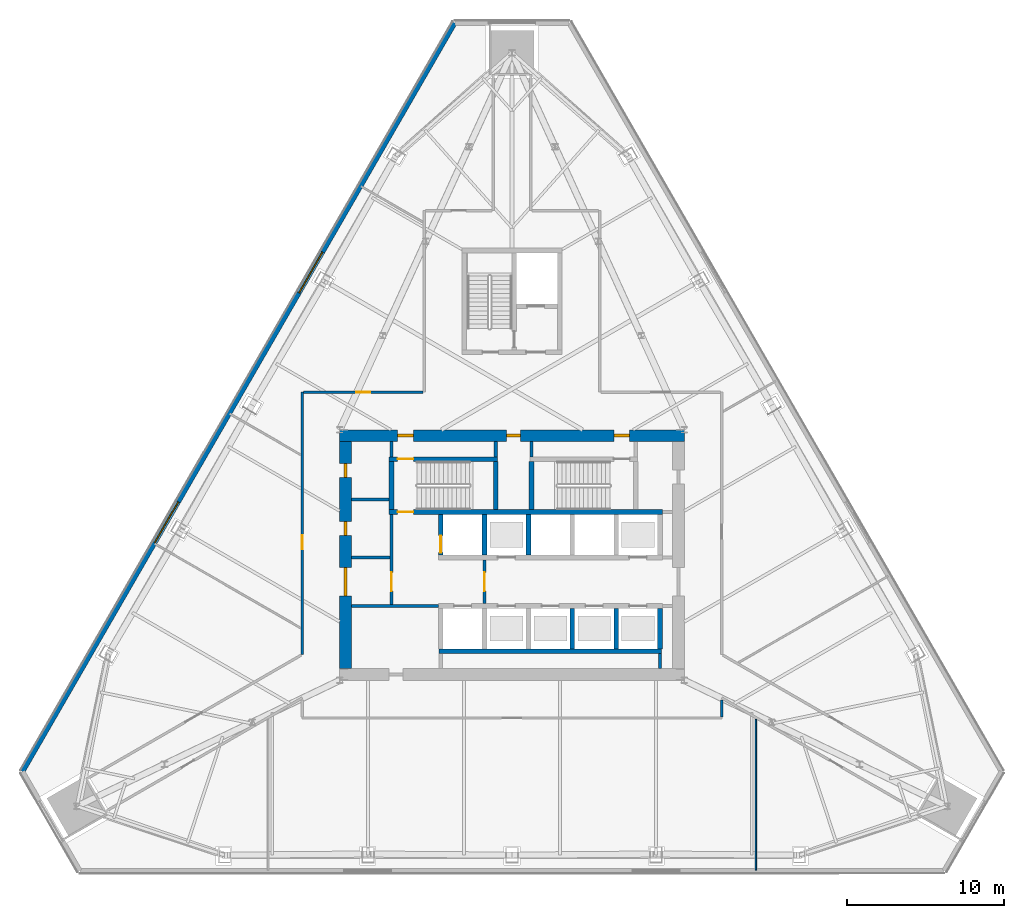
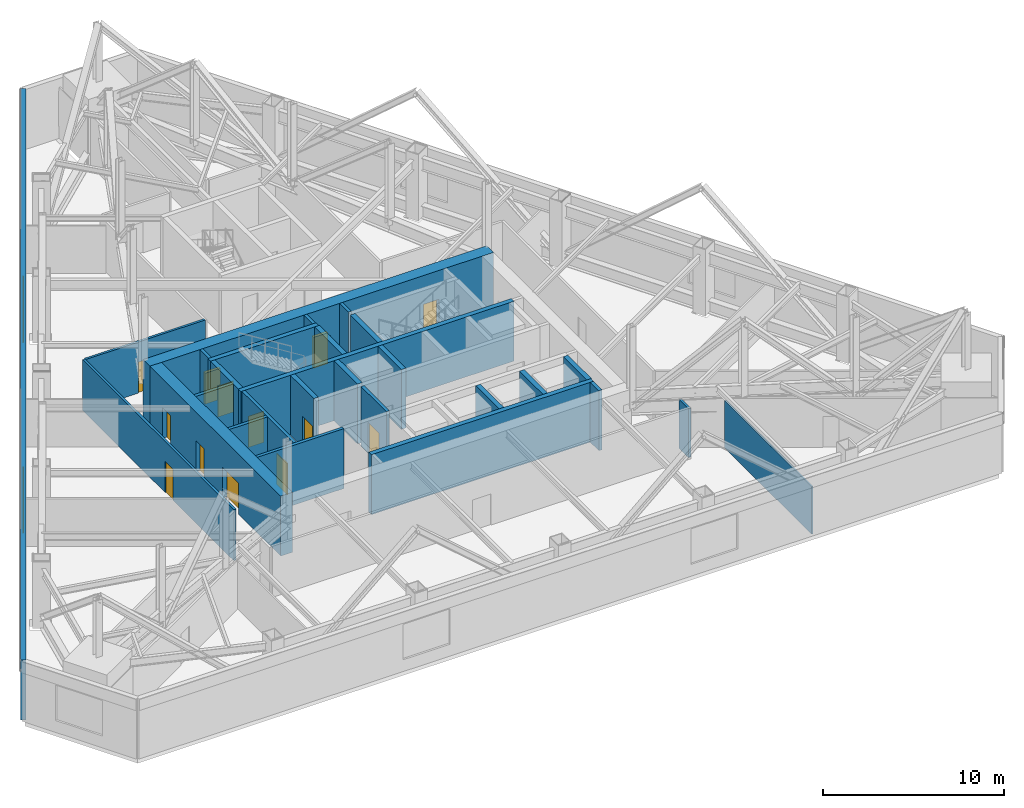
# One storey, part 9 of 13: 28 walls, 13 doors, 2 windows, 15 openings.
"""IFC4 building model written with IfcOpenShell, lengths in metres."""

from ifc_helpers import new_model, si_unit, direction, frame, frame_2d, origin, place, context, subcontext, project, spatial, rectangle, extrude, material, layer, layer_set, type_object, element, fill, save


model = new_model("IFC4")

# Units and contexts
model_context = context("Model", 3, precision=1e-05, world=origin(), true_north=direction((0.0, 1.0)))
body_context = subcontext(model_context, "Body", "Model", "MODEL_VIEW")
ifc_project = project(units=[si_unit("LENGTHUNIT", "METRE"), si_unit("AREAUNIT", "SQUARE_METRE"), si_unit("VOLUMEUNIT", "CUBIC_METRE"), si_unit("PLANEANGLEUNIT", "RADIAN"), si_unit("MASSUNIT", "GRAM", prefix="KILO")], contexts=[model_context])

# Site, building, storey
site_placement = place(None, origin())
site = spatial("IfcSite", under=ifc_project, at=site_placement, CompositionType="ELEMENT")
building_placement = place(site_placement, origin())
building = spatial("IfcBuilding", under=site, at=building_placement, Name="Firuza Gate Tower and Library", CompositionType="ELEMENT")
storey_placement = place(building_placement, frame((0.0, 0.0, 146.800048828125)))
storey = spatial("IfcBuildingStorey", under=building, at=storey_placement, Name="L33", CompositionType="ELEMENT", Elevation=146.800048828125)

# Walls
ifc_material_1 = material(Name="Plasterboard on steel studs", Category="steel")
ifc_layer_1 = layer(ifc_material_1, 0.199951171875)
ifc_layer_set_1 = layer_set([ifc_layer_1], Name="Core partition 200 EI 120")
wall_type_1 = type_object("IfcWallType", Name="Core partition 200 EI 120", PredefinedType="PARTITIONING", material=ifc_layer_set_1)
wall_1_placement = place(storey_placement, frame((64.75, 71.75, 0.0), z_axis=(0.0, 0.0, 1.0), x_axis=(1.0, 0.0, 0.0)))
element("IfcWall", 1, at=wall_1_placement, inside=storey, type_object=wall_type_1, Name="Core partition L33 1", PredefinedType="PARTITIONING", context=body_context, shape_type="SweptSolid", body=[
    extrude(rectangle(XDim=5.550048828125, YDim=0.199951171875, at=frame_2d((2.77490234375, 0.0))), origin(), (0.0, 0.0, 1.0), 4.050048828125),
])
wall_2_placement = place(storey_placement, frame((64.75, 74.85009765625, 0.0), z_axis=(0.0, 0.0, 1.0), x_axis=(1.0, 0.0, 0.0)))
element("IfcWall", 2, at=wall_2_placement, inside=storey, type_object=wall_type_1, Name="Core partition L33 3", PredefinedType="PARTITIONING", context=body_context, shape_type="SweptSolid", body=[
    extrude(rectangle(XDim=2.449951171875, YDim=0.199951171875, at=frame_2d((1.22509765625, 0.0))), origin(), (0.0, 0.0, 1.0), 4.050048828125),
])
wall_3_placement = place(storey_placement, frame((64.75, 78.550048828125, 0.0), z_axis=(0.0, 0.0, 1.0), x_axis=(1.0, 0.0, 0.0)))
element("IfcWall", 3, at=wall_3_placement, inside=storey, type_object=wall_type_1, Name="Core partition L33 6", PredefinedType="PARTITIONING", context=body_context, shape_type="SweptSolid", body=[
    extrude(rectangle(XDim=2.39990234375, YDim=0.199951171875, at=frame_2d((1.199951171875, 0.0))), origin(), (0.0, 0.0, 1.0), 4.050048828125),
])

# Wall, opening, door
wall_4_placement = place(storey_placement, frame((67.300048828125, 71.85009765625, 0.0), z_axis=(0.0, 0.0, 1.0), x_axis=(0.0, 1.0, 0.0)))
wall_4 = element("IfcWall", 4, at=wall_4_placement, inside=storey, type_object=wall_type_1, Name="Core partition L33 7", PredefinedType="PARTITIONING", context=body_context, shape_type="SweptSolid", body=[
    extrude(rectangle(XDim=5.75, YDim=0.199951171875, at=frame_2d((2.875, 0.0))), origin(), (0.0, 0.0, 1.0), 4.050048828125),
])
opening_1_placement = place(wall_4_placement, frame((0.85009765625, 0.0, 0.0)))
opening_1 = element("IfcOpeningElement", 5, at=opening_1_placement, cuts=wall_4, Name="Opening L33-K19", PredefinedType="OPENING", context=body_context, shape_type="SweptSolid", body=[
    extrude(rectangle(XDim=1.199951171875, YDim=2.10009765625, at=frame_2d((0.60009765625, 1.050048828125))), frame((0.0, 0.10986328125, 0.0), z_axis=(0.0, -1.0, 0.0), x_axis=(1.0, 0.0, 0.0)), (0.0, 0.0, 1.0), 0.219970703125),
])
ifc_material_2 = material(Name="Steel", Category="steel")
door_type_1 = type_object("IfcDoorType", Name="Fire door 1200x2100 FD90S", OperationType="NOTDEFINED", PredefinedType="DOOR", material=ifc_material_2)
door_1_placement = place(opening_1_placement, origin())
door_1 = element("IfcDoor", 6, at=door_1_placement, inside=storey, type_object=door_type_1, Name="Door L33-K19", OperationType="SINGLE_SWING_RIGHT", OverallHeight=2.10009765625, OverallWidth=1.199951171875, PredefinedType="DOOR", context=body_context, shape_type="SweptSolid", body=[
    extrude(rectangle(XDim=1.199951171875, YDim=2.10009765625, at=frame_2d((0.60009765625, 1.050048828125))), frame((0.0, 0.02490234375, 0.0), z_axis=(0.0, -1.0, 0.0), x_axis=(1.0, 0.0, 0.0)), (0.0, 0.0, 1.0), 0.050048828125),
])
fill(opening_1, door_1)

# Walls
for number, where, z_axis, x_axis, name in (
    (7, (67.300048828125, 81.280029296875, 0.0), (0.0, 0.0, 1.0), (0.0, 1.0, 0.0), "Core partition L33 8"),
    (8, (73.9599609375, 81.280029296875, 0.0), (0.0, 0.0, 1.0), (0.0, 1.0, 0.0), "Core partition L33 11"),
    (9, (76.239990234375, 81.280029296875, 0.0), (0.0, 0.0, 1.0), (0.0, 1.0, 0.0), "Core partition L33 12"),
):
    element("IfcWall", number, at=place(storey_placement, frame(where, z_axis=z_axis, x_axis=x_axis)), inside=storey, type_object=wall_type_1, Name=name, PredefinedType="PARTITIONING", context=body_context, shape_type="SweptSolid", body=[
        extrude(rectangle(XDim=0.969970703125, YDim=0.199951171875, at=frame_2d((0.48486328125, 0.0))), origin(), (0.0, 0.0, 1.0), 4.050048828125),
    ])
wall_5_placement = place(storey_placement, frame((84.449951171875, 67.75, 0.0), z_axis=(0.0, 0.0, 1.0), x_axis=(0.0, 1.0, 0.0)))
element("IfcWall", 10, at=wall_5_placement, inside=storey, type_object=wall_type_1, Name="Core partition L33 14", PredefinedType="PARTITIONING", context=body_context, shape_type="SweptSolid", body=[
    extrude(rectangle(XDim=0.949951171875, YDim=0.199951171875, at=frame_2d((0.47509765625, 0.0))), origin(), (0.0, 0.0, 1.0), 4.050048828125),
])

# Wall, opening, door
ifc_material_3 = material(Name="Plasterboard on steel studs", Category="steel")
ifc_layer_2 = layer(ifc_material_3, 0.199951171875)
ifc_layer_set_2 = layer_set([ifc_layer_2], Name="Core partition 200 EI 60")
wall_type_2 = type_object("IfcWallType", Name="Core partition 200 EI 60", PredefinedType="PARTITIONING", material=ifc_layer_set_2)
wall_6_placement = place(storey_placement, frame((73.25, 71.89990234375, 0.0), z_axis=(0.0, 0.0, 1.0), x_axis=(0.0, 1.0, 0.0)))
wall_6 = element("IfcWall", 11, at=wall_6_placement, inside=storey, type_object=wall_type_2, Name="Core partition L33 10", PredefinedType="PARTITIONING", context=body_context, shape_type="SweptSolid", body=[
    extrude(rectangle(XDim=2.800048828125, YDim=0.199951171875, at=frame_2d((1.39990234375, 0.0))), origin(), (0.0, 0.0, 1.0), 4.050048828125),
])
opening_2_placement = place(wall_6_placement, frame((0.800048828125, 0.0, 0.0)))
opening_2 = element("IfcOpeningElement", 12, at=opening_2_placement, cuts=wall_6, Name="Opening L33-K18", PredefinedType="OPENING", context=body_context, shape_type="SweptSolid", body=[
    extrude(rectangle(XDim=1.199951171875, YDim=2.10009765625, at=frame_2d((0.60009765625, 1.050048828125))), frame((0.0, 0.10986328125, 0.0), z_axis=(0.0, -1.0, 0.0), x_axis=(1.0, 0.0, 0.0)), (0.0, 0.0, 1.0), 0.219970703125),
])
door_2_placement = place(opening_2_placement, origin())
door_2 = element("IfcDoor", 13, at=door_2_placement, inside=storey, type_object=door_type_1, Name="Door L33-K18", OperationType="SINGLE_SWING_LEFT", OverallHeight=2.10009765625, OverallWidth=1.199951171875, PredefinedType="DOOR", context=body_context, shape_type="SweptSolid", body=[
    extrude(rectangle(XDim=1.199951171875, YDim=2.10009765625, at=frame_2d((0.60009765625, 1.050048828125))), frame((0.0, 0.02490234375, 0.0), z_axis=(0.0, -1.0, 0.0), x_axis=(1.0, 0.0, 0.0)), (0.0, 0.0, 1.0), 0.050048828125),
])
fill(opening_2, door_2)

# Wall
ifc_material_4 = material(Name="Concrete C80/95", Category="concrete")
ifc_layer_3 = layer(ifc_material_4, 0.300048828125)
ifc_layer_set_3 = layer_set([ifc_layer_3], Name="Core wall 300 C80/95")
wall_type_3 = type_object("IfcWallType", Name="Core wall 300 C80/95", PredefinedType="SHEAR", material=ifc_layer_set_3)
wall_7_placement = place(storey_placement, frame((70.35009765625, 68.85009765625, 0.0), z_axis=(0.0, 0.0, 1.0), x_axis=(1.0, 0.0, 0.0)))
element("IfcWall", 14, at=wall_7_placement, inside=storey, type_object=wall_type_3, Name="Core wall L33 5", PredefinedType="SHEAR", context=body_context, shape_type="SweptSolid", body=[
    extrude(rectangle(XDim=14.199951171875, YDim=0.300048828125, at=frame_2d((7.10009765625, 0.0))), origin(), (0.0, 0.0, 1.0), 4.050048828125),
])

# Wall, opening, door
wall_8_placement = place(storey_placement, frame((70.449951171875, 75.0, 0.0), z_axis=(0.0, 0.0, 1.0), x_axis=(0.0, 1.0, 0.0)))
wall_8 = element("IfcWall", 15, at=wall_8_placement, inside=storey, type_object=wall_type_3, Name="Core wall L33 9", PredefinedType="SHEAR", context=body_context, shape_type="SweptSolid", body=[
    extrude(rectangle(XDim=2.60009765625, YDim=0.300048828125, at=frame_2d((1.300048828125, 0.0))), origin(), (0.0, 0.0, 1.0), 4.050048828125),
])
opening_3_placement = place(wall_8_placement, frame((0.14990234375, 0.0, 0.0)))
opening_3 = element("IfcOpeningElement", 16, at=opening_3_placement, cuts=wall_8, Name="Opening LD-FF2-L33", PredefinedType="OPENING", context=body_context, shape_type="SweptSolid", body=[
    extrude(rectangle(XDim=1.10009765625, YDim=2.10009765625, at=frame_2d((0.550048828125, 1.050048828125))), frame((0.0, 0.16015625, 0.0), z_axis=(0.0, -1.0, 0.0), x_axis=(1.0, 0.0, 0.0)), (0.0, 0.0, 1.0), 0.320068359375),
])
ifc_material_5 = material(Name="Stainless steel", Category="steel")
door_type_2 = type_object("IfcDoorType", Name="Lift landing door 1100x2100", OperationType="DOUBLE_DOOR_SLIDING", PredefinedType="DOOR", material=ifc_material_5)
door_3_placement = place(opening_3_placement, origin())
door_3 = element("IfcDoor", 17, at=door_3_placement, inside=storey, type_object=door_type_2, Name="Landing door FF2 L33", OperationType="DOUBLE_DOOR_SLIDING", OverallHeight=2.10009765625, OverallWidth=1.10009765625, PredefinedType="DOOR", context=body_context, shape_type="SweptSolid", body=[
    extrude(rectangle(XDim=1.10009765625, YDim=2.10009765625, at=frame_2d((0.550048828125, 1.050048828125))), frame((0.0, 0.02490234375, 0.0), z_axis=(0.0, -1.0, 0.0), x_axis=(1.0, 0.0, 0.0)), (0.0, 0.0, 1.0), 0.050048828125),
])
fill(opening_3, door_3)

# Walls
for number, where, z_axis, x_axis, name in (
    (18, (73.25, 75.0, 0.0), (0.0, 0.0, 1.0), (0.0, 1.0, 0.0), "Core wall L33 11"),
    (19, (76.050048828125, 75.0, 0.0), (0.0, 0.0, 1.0), (0.0, 1.0, 0.0), "Core wall L33 13"),
    (20, (78.85009765625, 69.0, 0.0), (0.0, 0.0, 1.0), (0.0, 1.0, 0.0), "Core wall L33 14"),
    (21, (81.64990234375, 69.0, 0.0), (0.0, 0.0, 1.0), (0.0, 1.0, 0.0), "Core wall L33 16"),
    (22, (84.449951171875, 69.0, 0.0), (0.0, 0.0, 1.0), (0.0, 1.0, 0.0), "Core wall L33 18"),
):
    element("IfcWall", number, at=place(storey_placement, frame(where, z_axis=z_axis, x_axis=x_axis)), inside=storey, type_object=wall_type_3, Name=name, PredefinedType="SHEAR", context=body_context, shape_type="SweptSolid", body=[
        extrude(rectangle(XDim=2.60009765625, YDim=0.300048828125, at=frame_2d((1.300048828125, 0.0))), origin(), (0.0, 0.0, 1.0), 4.050048828125),
    ])

# Wall, opening, door
wall_9_placement = place(storey_placement, frame((67.14990234375, 77.75, 0.0), z_axis=(0.0, 0.0, 1.0), x_axis=(1.0, 0.0, 0.0)))
wall_9 = element("IfcWall", 23, at=wall_9_placement, inside=storey, type_object=wall_type_3, Name="Core wall L33 20", PredefinedType="SHEAR", context=body_context, shape_type="SweptSolid", body=[
    extrude(rectangle(XDim=17.4501953125, YDim=0.300048828125, at=frame_2d((8.72509765625, 0.0))), origin(), (0.0, 0.0, 1.0), 4.050048828125),
])
opening_4_placement = place(wall_9_placement, frame((0.544921875, 0.0, 0.0)))
opening_4 = element("IfcOpeningElement", 24, at=opening_4_placement, cuts=wall_9, Name="Opening L33-K10", PredefinedType="OPENING", context=body_context, shape_type="SweptSolid", body=[
    extrude(rectangle(XDim=1.0, YDim=2.10009765625, at=frame_2d((0.5, 1.050048828125))), frame((0.0, 0.16015625, 0.0), z_axis=(0.0, -1.0, 0.0), x_axis=(1.0, 0.0, 0.0)), (0.0, 0.0, 1.0), 0.320068359375),
])
ifc_material_6 = material(Name="Steel", Category="steel")
door_type_3 = type_object("IfcDoorType", Name="Fire door 1000x2100 FD90", OperationType="NOTDEFINED", PredefinedType="DOOR", material=ifc_material_6)
door_4_placement = place(opening_4_placement, origin())
door_4 = element("IfcDoor", 25, at=door_4_placement, inside=storey, type_object=door_type_3, Name="Door L33-K10", OperationType="SINGLE_SWING_LEFT", OverallHeight=2.10009765625, OverallWidth=1.0, PredefinedType="DOOR", context=body_context, shape_type="SweptSolid", body=[
    extrude(rectangle(XDim=1.0, YDim=2.10009765625, at=frame_2d((0.5, 1.050048828125))), frame((0.0, 0.02490234375, 0.0), z_axis=(0.0, -1.0, 0.0), x_axis=(1.0, 0.0, 0.0)), (0.0, 0.0, 1.0), 0.050048828125),
])
fill(opening_4, door_4)

wall_10_placement = place(storey_placement, frame((67.14990234375, 81.1298828125, 0.0), z_axis=(0.0, 0.0, 1.0), x_axis=(1.0, 0.0, 0.0)))
wall_10 = element("IfcWall", 26, at=wall_10_placement, inside=storey, type_object=wall_type_3, Name="Core wall L33 21", PredefinedType="SHEAR", context=body_context, shape_type="SweptSolid", body=[
    extrude(rectangle(XDim=6.91015625, YDim=0.300048828125, at=frame_2d((3.455078125, 0.0))), origin(), (0.0, 0.0, 1.0), 4.050048828125),
])
opening_5_placement = place(wall_10_placement, frame((0.544921875, 0.0, 0.0)))
opening_5 = element("IfcOpeningElement", 27, at=opening_5_placement, cuts=wall_10, Name="Opening L33-K11", PredefinedType="OPENING", context=body_context, shape_type="SweptSolid", body=[
    extrude(rectangle(XDim=1.0, YDim=2.10009765625, at=frame_2d((0.5, 1.050048828125))), frame((0.0, 0.16015625, 0.0), z_axis=(0.0, -1.0, 0.0), x_axis=(1.0, 0.0, 0.0)), (0.0, 0.0, 1.0), 0.320068359375),
])
door_5_placement = place(opening_5_placement, origin())
door_5 = element("IfcDoor", 28, at=door_5_placement, inside=storey, type_object=door_type_3, Name="Door L33-K11", OperationType="SINGLE_SWING_RIGHT", OverallHeight=2.10009765625, OverallWidth=1.0, PredefinedType="DOOR", context=body_context, shape_type="SweptSolid", body=[
    extrude(rectangle(XDim=1.0, YDim=2.10009765625, at=frame_2d((0.5, 1.050048828125))), frame((0.0, 0.02490234375, 0.0), z_axis=(0.0, -1.0, 0.0), x_axis=(1.0, 0.0, 0.0)), (0.0, 0.0, 1.0), 0.050048828125),
])
fill(opening_5, door_5)

# Walls
for number, where, z_axis, x_axis, name in (
    (29, (67.300048828125, 77.89990234375, 0.0), (0.0, 0.0, 1.0), (0.0, 1.0, 0.0), "Core wall L33 23"),
    (30, (73.9599609375, 77.89990234375, 0.0), (0.0, 0.0, 1.0), (0.0, 1.0, 0.0), "Core wall L33 24"),
    (31, (76.239990234375, 77.89990234375, 0.0), (0.0, 0.0, 1.0), (0.0, 1.0, 0.0), "Core wall L33 25"),
):
    element("IfcWall", number, at=place(storey_placement, frame(where, z_axis=z_axis, x_axis=x_axis)), inside=storey, type_object=wall_type_3, Name=name, PredefinedType="SHEAR", context=body_context, shape_type="SweptSolid", body=[
        extrude(rectangle(XDim=3.080078125, YDim=0.300048828125, at=frame_2d((1.5400390625, 0.0))), origin(), (0.0, 0.0, 1.0), 4.050048828125),
    ])

# Wall, openings, doors
ifc_material_7 = material(Name="Concrete C80/95", Category="concrete")
ifc_layer_4 = layer(ifc_material_7, 0.75)
ifc_layer_set_4 = layer_set([ifc_layer_4], Name="Core wall 750 C80/95")
wall_type_4 = type_object("IfcWallType", Name="Core wall 750 C80/95", PredefinedType="SHEAR", material=ifc_layer_set_4)
wall_11_placement = place(storey_placement, frame((64.0, 82.625, 0.0), z_axis=(0.0, 0.0, 1.0), x_axis=(1.0, 0.0, 0.0)))
wall_11 = element("IfcWall", 32, at=wall_11_placement, inside=storey, type_object=wall_type_4, Name="Core wall L33 2", PredefinedType="SHEAR", context=body_context, shape_type="SweptSolid", body=[
    extrude(rectangle(XDim=22.0, YDim=0.75, at=frame_2d((11.0, 0.0))), origin(), (0.0, 0.0, 1.0), 4.050048828125),
])
opening_6_placement = place(wall_11_placement, frame((3.695068359375, 0.0, 0.0)))
opening_6 = element("IfcOpeningElement", 33, at=opening_6_placement, cuts=wall_11, Name="Opening L33-K12", PredefinedType="OPENING", context=body_context, shape_type="SweptSolid", body=[
    extrude(rectangle(XDim=1.0, YDim=2.10009765625, at=frame_2d((0.5, 1.050048828125))), frame((0.0, 0.385009765625, 0.0), z_axis=(0.0, -1.0, 0.0), x_axis=(1.0, 0.0, 0.0)), (0.0, 0.0, 1.0), 0.77001953125),
])
opening_7_placement = place(wall_11_placement, frame((17.5048828125, 0.0, 0.0)))
opening_7 = element("IfcOpeningElement", 34, at=opening_7_placement, cuts=wall_11, Name="Opening L33-K14", PredefinedType="OPENING", context=body_context, shape_type="SweptSolid", body=[
    extrude(rectangle(XDim=1.0, YDim=2.10009765625, at=frame_2d((0.5, 1.050048828125))), frame((0.0, 0.385009765625, 0.0), z_axis=(0.0, -1.0, 0.0), x_axis=(1.0, 0.0, 0.0)), (0.0, 0.0, 1.0), 0.77001953125),
])
opening_8_placement = place(wall_11_placement, frame((10.64990234375, 0.0, 0.0)))
opening_8 = element("IfcOpeningElement", 35, at=opening_8_placement, cuts=wall_11, Name="Opening L33-K25", PredefinedType="OPENING", context=body_context, shape_type="SweptSolid", body=[
    extrude(rectangle(XDim=0.89990234375, YDim=2.10009765625, at=frame_2d((0.449951171875, 1.050048828125))), frame((0.0, 0.385009765625, 0.0), z_axis=(0.0, -1.0, 0.0), x_axis=(1.0, 0.0, 0.0)), (0.0, 0.0, 1.0), 0.77001953125),
])
door_6_placement = place(opening_6_placement, origin())
door_6 = element("IfcDoor", 36, at=door_6_placement, inside=storey, type_object=door_type_3, Name="Door L33-K12", OperationType="SINGLE_SWING_LEFT", OverallHeight=2.10009765625, OverallWidth=1.0, PredefinedType="DOOR", context=body_context, shape_type="SweptSolid", body=[
    extrude(rectangle(XDim=1.0, YDim=2.10009765625, at=frame_2d((0.5, 1.050048828125))), frame((0.0, 0.094970703125, 0.0), z_axis=(0.0, -1.0, 0.0), x_axis=(1.0, 0.0, 0.0)), (0.0, 0.0, 1.0), 0.18994140625),
])
fill(opening_6, door_6)
door_7_placement = place(opening_7_placement, origin())
door_7 = element("IfcDoor", 37, at=door_7_placement, inside=storey, type_object=door_type_3, Name="Door L33-K14", OperationType="SINGLE_SWING_LEFT", OverallHeight=2.10009765625, OverallWidth=1.0, PredefinedType="DOOR", context=body_context, shape_type="SweptSolid", body=[
    extrude(rectangle(XDim=1.0, YDim=2.10009765625, at=frame_2d((0.5, 1.050048828125))), frame((0.0, 0.094970703125, 0.0), z_axis=(0.0, -1.0, 0.0), x_axis=(1.0, 0.0, 0.0)), (0.0, 0.0, 1.0), 0.18994140625),
])
fill(opening_7, door_7)
ifc_material_8 = material(Name="Steel", Category="steel")
door_type_4 = type_object("IfcDoorType", Name="Fire door 900x2100 FD30S", OperationType="NOTDEFINED", PredefinedType="DOOR", material=ifc_material_8)
door_8_placement = place(opening_8_placement, origin())
door_8 = element("IfcDoor", 38, at=door_8_placement, inside=storey, type_object=door_type_4, Name="Door L33-K25", OperationType="SINGLE_SWING_RIGHT", OverallHeight=2.10009765625, OverallWidth=0.89990234375, PredefinedType="DOOR", context=body_context, shape_type="SweptSolid", body=[
    extrude(rectangle(XDim=0.89990234375, YDim=2.10009765625, at=frame_2d((0.449951171875, 1.050048828125))), frame((0.0, 0.094970703125, 0.0), z_axis=(0.0, -1.0, 0.0), x_axis=(1.0, 0.0, 0.0)), (0.0, 0.0, 1.0), 0.18994140625),
])
fill(opening_8, door_8)

wall_12_placement = place(storey_placement, frame((64.375, 67.75, 0.0), z_axis=(0.0, 0.0, 1.0), x_axis=(0.0, 1.0, 0.0)))
wall_12 = element("IfcWall", 39, at=wall_12_placement, inside=storey, type_object=wall_type_4, Name="Core wall L33 3", PredefinedType="SHEAR", context=body_context, shape_type="SweptSolid", body=[
    extrude(rectangle(XDim=14.5, YDim=0.75, at=frame_2d((7.25, 0.0))), origin(), (0.0, 0.0, 1.0), 4.050048828125),
])
opening_9_placement = place(wall_12_placement, frame((4.64990234375, 0.0, 0.0)))
opening_9 = element("IfcOpeningElement", 40, at=opening_9_placement, cuts=wall_12, Name="Opening L33-K20", PredefinedType="OPENING", context=body_context, shape_type="SweptSolid", body=[
    extrude(rectangle(XDim=1.800048828125, YDim=2.10009765625, at=frame_2d((0.89990234375, 1.050048828125))), frame((0.0, 0.385009765625, 0.0), z_axis=(0.0, -1.0, 0.0), x_axis=(1.0, 0.0, 0.0)), (0.0, 0.0, 1.0), 0.77001953125),
])
opening_10_placement = place(wall_12_placement, frame((8.5, 0.0, 0.0)))
opening_10 = element("IfcOpeningElement", 41, at=opening_10_placement, cuts=wall_12, Name="Opening L33-K23", PredefinedType="OPENING", context=body_context, shape_type="SweptSolid", body=[
    extrude(rectangle(XDim=0.89990234375, YDim=2.10009765625, at=frame_2d((0.449951171875, 1.050048828125))), frame((0.0, 0.385009765625, 0.0), z_axis=(0.0, -1.0, 0.0), x_axis=(1.0, 0.0, 0.0)), (0.0, 0.0, 1.0), 0.77001953125),
])
opening_11_placement = place(wall_12_placement, frame((12.199951171875, 0.0, 0.0)))
opening_11 = element("IfcOpeningElement", 42, at=opening_11_placement, cuts=wall_12, Name="Opening L33-K24", PredefinedType="OPENING", context=body_context, shape_type="SweptSolid", body=[
    extrude(rectangle(XDim=0.89990234375, YDim=2.10009765625, at=frame_2d((0.449951171875, 1.050048828125))), frame((0.0, 0.385009765625, 0.0), z_axis=(0.0, -1.0, 0.0), x_axis=(1.0, 0.0, 0.0)), (0.0, 0.0, 1.0), 0.77001953125),
])
ifc_material_9 = material(Name="Steel", Category="steel")
door_type_5 = type_object("IfcDoorType", Name="Fire door 1800x2100 FD30S", OperationType="NOTDEFINED", PredefinedType="DOOR", material=ifc_material_9)
door_9_placement = place(opening_9_placement, origin())
door_9 = element("IfcDoor", 43, at=door_9_placement, inside=storey, type_object=door_type_5, Name="Door L33-K20", OperationType="SINGLE_SWING_LEFT", OverallHeight=2.10009765625, OverallWidth=1.800048828125, PredefinedType="DOOR", context=body_context, shape_type="SweptSolid", body=[
    extrude(rectangle(XDim=1.800048828125, YDim=2.10009765625, at=frame_2d((0.89990234375, 1.050048828125))), frame((0.0, 0.094970703125, 0.0), z_axis=(0.0, -1.0, 0.0), x_axis=(1.0, 0.0, 0.0)), (0.0, 0.0, 1.0), 0.18994140625),
])
fill(opening_9, door_9)
door_10_placement = place(opening_10_placement, origin())
door_10 = element("IfcDoor", 44, at=door_10_placement, inside=storey, type_object=door_type_4, Name="Door L33-K23", OperationType="SINGLE_SWING_RIGHT", OverallHeight=2.10009765625, OverallWidth=0.89990234375, PredefinedType="DOOR", context=body_context, shape_type="SweptSolid", body=[
    extrude(rectangle(XDim=0.89990234375, YDim=2.10009765625, at=frame_2d((0.449951171875, 1.050048828125))), frame((0.0, 0.094970703125, 0.0), z_axis=(0.0, -1.0, 0.0), x_axis=(1.0, 0.0, 0.0)), (0.0, 0.0, 1.0), 0.18994140625),
])
fill(opening_10, door_10)
door_11_placement = place(opening_11_placement, origin())
door_11 = element("IfcDoor", 45, at=door_11_placement, inside=storey, type_object=door_type_4, Name="Door L33-K24", OperationType="SINGLE_SWING_LEFT", OverallHeight=2.10009765625, OverallWidth=0.89990234375, PredefinedType="DOOR", context=body_context, shape_type="SweptSolid", body=[
    extrude(rectangle(XDim=0.89990234375, YDim=2.10009765625, at=frame_2d((0.449951171875, 1.050048828125))), frame((0.0, 0.094970703125, 0.0), z_axis=(0.0, -1.0, 0.0), x_axis=(1.0, 0.0, 0.0)), (0.0, 0.0, 1.0), 0.18994140625),
])
fill(opening_11, door_11)

# Wall, opening, door
ifc_material_10 = material(Name="Gypsum board partition")
ifc_layer_5 = layer(ifc_material_10, 0.14990234375)
ifc_layer_set_5 = layer_set([ifc_layer_5], Name="Corridor wall 150 double board on steel studs")
wall_type_5 = type_object("IfcWallType", Name="Corridor wall 150 double board on steel studs", PredefinedType="PARTITIONING", material=ifc_layer_set_5)
wall_13_placement = place(storey_placement, frame((61.675537109375, 85.39990234375, 0.0), z_axis=(0.0, 0.0, 1.0), x_axis=(1.0, 0.0, 0.0)))
wall_13 = element("IfcWall", 46, at=wall_13_placement, inside=storey, type_object=wall_type_5, Name="f:L33:w001", PredefinedType="PARTITIONING", context=body_context, shape_type="SweptSolid", body=[
    extrude(rectangle(XDim=7.6494140625, YDim=0.14990234375, at=frame_2d((3.82470703125, 0.0))), origin(), (0.0, 0.0, 1.0), 3.449951171875),
])
opening_12_placement = place(wall_13_placement, frame((3.374755859375, 0.0, 0.0)))
opening_12 = element("IfcOpeningElement", 47, at=opening_12_placement, cuts=wall_13, Name="Opening L33-02", PredefinedType="OPENING", context=body_context, shape_type="SweptSolid", body=[
    extrude(rectangle(XDim=0.89990234375, YDim=2.10009765625, at=frame_2d((0.449951171875, 1.050048828125))), frame((0.0, 0.0849609375, 0.0), z_axis=(0.0, -1.0, 0.0), x_axis=(1.0, 0.0, 0.0)), (0.0, 0.0, 1.0), 0.169921875),
])
ifc_material_11 = material(Name="Steel door and timber leaf", Category="steel")
door_type_6 = type_object("IfcDoorType", Name="Fire door 900 x 2100 steel frame, timber leaf", OperationType="NOTDEFINED", PredefinedType="DOOR", material=ifc_material_11)
door_12_placement = place(opening_12_placement, origin())
door_12 = element("IfcDoor", 48, at=door_12_placement, inside=storey, type_object=door_type_6, Name="f:L33:d002", OperationType="SINGLE_SWING_RIGHT", OverallHeight=2.10009765625, OverallWidth=0.89990234375, PredefinedType="DOOR", context=body_context, shape_type="SweptSolid", body=[
    extrude(rectangle(XDim=0.89990234375, YDim=2.10009765625, at=frame_2d((0.449951171875, 1.050048828125))), frame((0.0, 0.02490234375, 0.0), z_axis=(0.0, -1.0, 0.0), x_axis=(1.0, 0.0, 0.0)), (0.0, 0.0, 1.0), 0.050048828125),
])
fill(opening_12, door_12)

# Wall
wall_14_placement = place(storey_placement, frame((88.39990234375, 64.675537109375, 0.0), z_axis=(0.0, 0.0, 1.0), x_axis=(0.0, 1.0, 0.0)))
element("IfcWall", 49, at=wall_14_placement, inside=storey, type_object=wall_type_5, Name="f:L33:w013", PredefinedType="PARTITIONING", context=body_context, shape_type="SweptSolid", body=[
    extrude(rectangle(XDim=1.065673828125, YDim=0.14990234375, at=frame_2d((0.53271484375, 0.0))), origin(), (0.0, 0.0, 1.0), 3.296875),
])

# Wall, opening, door
wall_15_placement = place(storey_placement, frame((61.60009765625, 68.649169921875, 0.0), z_axis=(0.0, 0.0, 1.0), x_axis=(0.0, 1.0, 0.0)))
wall_15 = element("IfcWall", 50, at=wall_15_placement, inside=storey, type_object=wall_type_5, Name="f:L33:w021", PredefinedType="PARTITIONING", context=body_context, shape_type="SweptSolid", body=[
    extrude(rectangle(XDim=16.750244140625, YDim=0.14990234375, at=frame_2d((8.375, 0.0))), origin(), (0.0, 0.0, 1.0), 3.449951171875),
])
opening_13_placement = place(wall_15_placement, frame((6.721923828125, 0.0, 0.0)))
opening_13 = element("IfcOpeningElement", 51, at=opening_13_placement, cuts=wall_15, Name="Opening L33-08", PredefinedType="OPENING", context=body_context, shape_type="SweptSolid", body=[
    extrude(rectangle(XDim=0.89990234375, YDim=2.10009765625, at=frame_2d((0.449951171875, 1.050048828125))), frame((0.0, 0.0849609375, 0.0), z_axis=(0.0, -1.0, 0.0), x_axis=(1.0, 0.0, 0.0)), (0.0, 0.0, 1.0), 0.169921875),
])
door_13_placement = place(opening_13_placement, origin())
door_13 = element("IfcDoor", 52, at=door_13_placement, inside=storey, type_object=door_type_6, Name="f:L33:d008", OperationType="SINGLE_SWING_LEFT", OverallHeight=2.10009765625, OverallWidth=0.89990234375, PredefinedType="DOOR", context=body_context, shape_type="SweptSolid", body=[
    extrude(rectangle(XDim=0.89990234375, YDim=2.10009765625, at=frame_2d((0.449951171875, 1.050048828125))), frame((0.0, 0.02490234375, 0.0), z_axis=(0.0, -1.0, 0.0), x_axis=(1.0, 0.0, 0.0)), (0.0, 0.0, 1.0), 0.050048828125),
])
fill(opening_13, door_13)

# Wall
ifc_material_12 = material(Name="Gypsum board partition")
ifc_layer_6 = layer(ifc_material_12, 0.10009765625)
ifc_layer_set_6 = layer_set([ifc_layer_6], Name="Partition 100 gypsum board on steel studs")
wall_type_6 = type_object("IfcWallType", Name="Partition 100 gypsum board on steel studs", PredefinedType="PARTITIONING", material=ifc_layer_set_6)
wall_16_placement = place(storey_placement, frame((90.572021484375, 54.877197265625, 0.0), z_axis=(0.0, 0.0, 1.0), x_axis=(0.0, 1.0, 0.0)))
element("IfcWall", 53, at=wall_16_placement, inside=storey, type_object=wall_type_6, Name="f:L33:w012", PredefinedType="PARTITIONING", context=body_context, shape_type="SweptSolid", body=[
    extrude(rectangle(XDim=9.630126953125, YDim=0.10009765625, at=frame_2d((4.81494140625, 0.0))), origin(), (0.0, 0.0, 1.0), 3.21484375),
])

# Wall, openings, windows
ifc_material_13 = material(Name="Concrete C40/50", Category="concrete")
ifc_layer_7 = layer(ifc_material_13, 0.300048828125)
ifc_layer_set_7 = layer_set([ifc_layer_7], Name="Plant louvre wall 300")
wall_type_7 = type_object("IfcWallType", Name="Plant louvre wall 300", PredefinedType="SOLIDWALL", material=ifc_layer_set_7)
wall_17_placement = place(storey_placement, frame((71.34814453125, 108.98046875, 0.0), z_axis=(0.0, 0.0, 1.0), x_axis=(-0.500000383388, -0.866025182435, 0.0)))
wall_17 = element("IfcWall", 54, at=wall_17_placement, inside=storey, type_object=wall_type_7, Name="Plant louvre wall 5", PredefinedType="SOLIDWALL", context=body_context, shape_type="SweptSolid", body=[
    extrude(rectangle(XDim=55.2041015625, YDim=0.300048828125, at=frame_2d((27.60205078125, 0.0))), origin(), (0.0, 0.0, 1.0), 4.050048828125),
])
opening_14_placement = place(wall_17_placement, frame((16.895263671875, 0.0, 0.800048828125)))
opening_14 = element("IfcOpeningElement", 55, at=opening_14_placement, cuts=wall_17, Name="Opening WD3-007", PredefinedType="OPENING", context=body_context, shape_type="SweptSolid", body=[
    extrude(rectangle(XDim=3.0, YDim=2.39990234375, at=frame_2d((1.5, 1.199951171875))), frame((0.0, 0.16015625, 0.0), z_axis=(0.0, -1.0, 0.0), x_axis=(1.0, 0.0, 0.0)), (0.0, 0.0, 1.0), 0.320068359375),
])
opening_15_placement = place(wall_17_placement, frame((35.30859375, 0.0, 0.800048828125)))
opening_15 = element("IfcOpeningElement", 56, at=opening_15_placement, cuts=wall_17, Name="Opening WD3-008", PredefinedType="OPENING", context=body_context, shape_type="SweptSolid", body=[
    extrude(rectangle(XDim=3.0, YDim=2.39990234375, at=frame_2d((1.5, 1.199951171875))), frame((0.0, 0.16015625, 0.0), z_axis=(0.0, -1.0, 0.0), x_axis=(1.0, 0.0, 0.0)), (0.0, 0.0, 1.0), 0.320068359375),
])
ifc_material_14 = material(Name="Aluminium 6063-T6", Category="aluminium")
window_type = type_object("IfcWindowType", Name="Plant louvre 3000x2400", PartitioningType="SINGLE_PANEL", PredefinedType="WINDOW", material=ifc_material_14)
window_1_placement = place(opening_14_placement, origin())
window_1 = element("IfcWindow", 57, at=window_1_placement, inside=storey, type_object=window_type, Name="e:pwall:L33:4/L0", OverallHeight=2.39990234375, OverallWidth=3.0, PartitioningType="SINGLE_PANEL", PredefinedType="WINDOW", context=body_context, shape_type="SweptSolid", body=[
    extrude(rectangle(XDim=3.0, YDim=2.39990234375, at=frame_2d((1.5, 1.199951171875))), frame((0.0, 0.030029296875, 0.0), z_axis=(0.0, -1.0, 0.0), x_axis=(1.0, 0.0, 0.0)), (0.0, 0.0, 1.0), 0.06005859375),
])
fill(opening_14, window_1)
window_2_placement = place(opening_15_placement, origin())
window_2 = element("IfcWindow", 58, at=window_2_placement, inside=storey, type_object=window_type, Name="e:pwall:L33:4/L1", OverallHeight=2.39990234375, OverallWidth=3.0, PartitioningType="SINGLE_PANEL", PredefinedType="WINDOW", context=body_context, shape_type="SweptSolid", body=[
    extrude(rectangle(XDim=3.0, YDim=2.39990234375, at=frame_2d((1.5, 1.199951171875))), frame((0.0, 0.030029296875, 0.0), z_axis=(0.0, -1.0, 0.0), x_axis=(1.0, 0.0, 0.0)), (0.0, 0.0, 1.0), 0.06005859375),
])
fill(opening_15, window_2)

save(model, "model.ifc")
